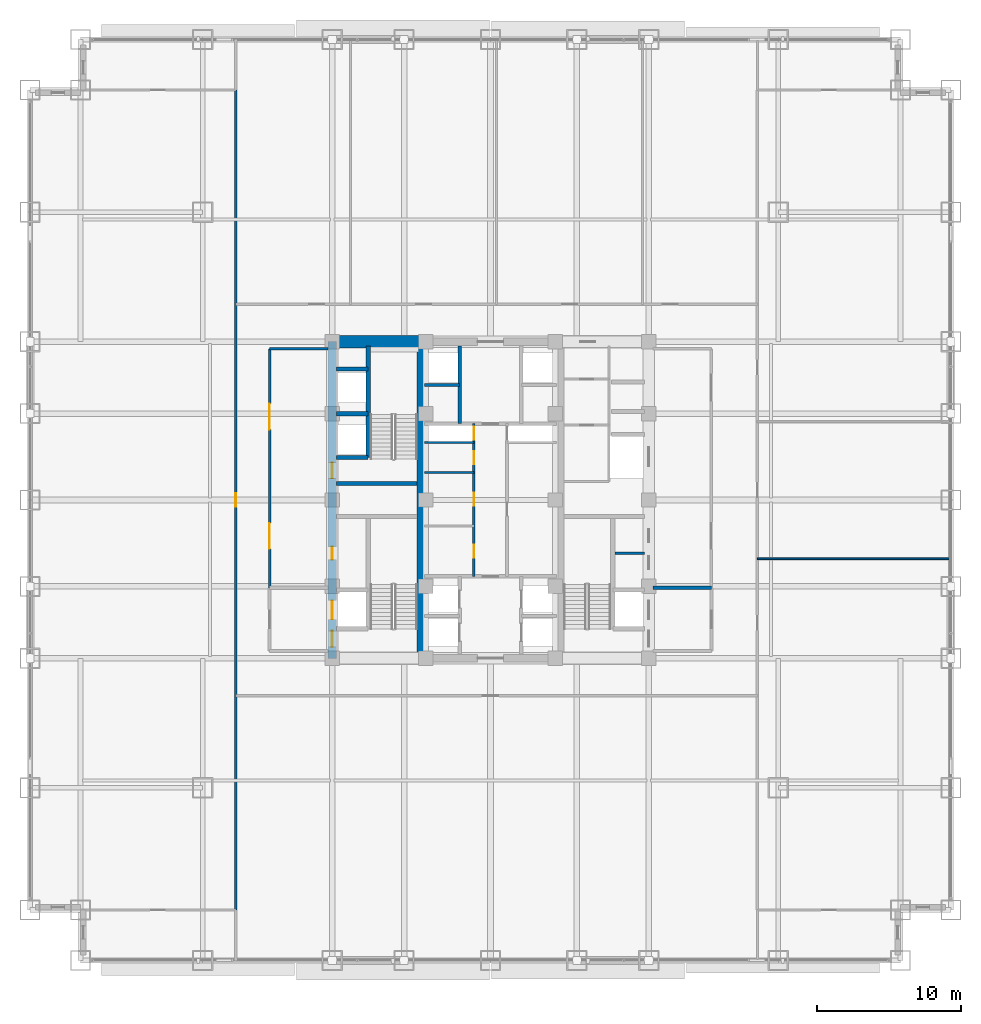
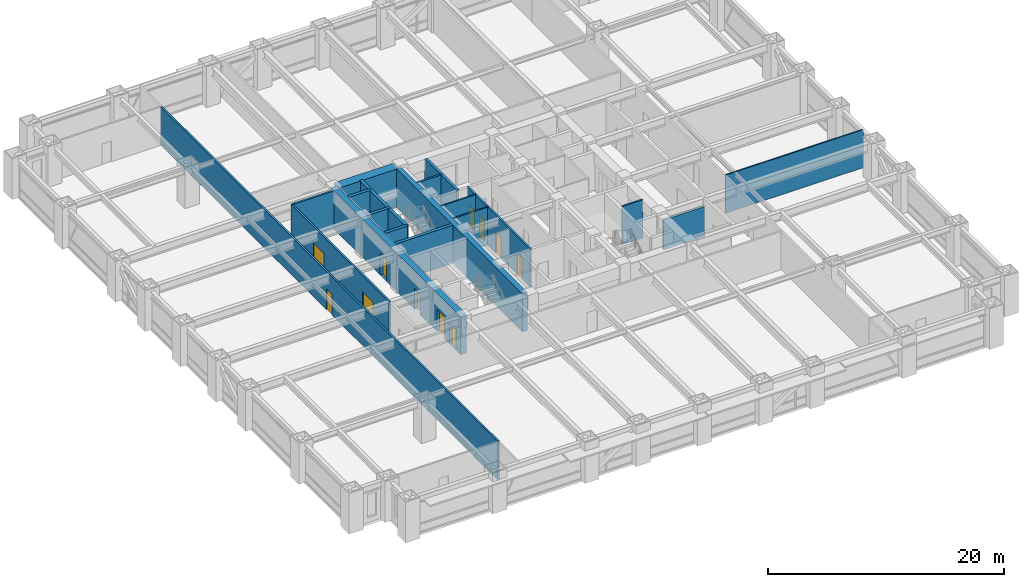
# One storey, part 24 of 31: 19 walls, 11 doors, 11 openings.
"""IFC4 building model written with IfcOpenShell, lengths in metres."""

from ifc_helpers import new_model, si_unit, direction, frame, frame_2d, origin, place, context, subcontext, project, spatial, rectangle, extrude, source, transform, mapped, material, layer, layer_set, type_object, element, fill, save


model = new_model("IFC4")

# Units and contexts
model_context = context("Model", 3, precision=1e-05, world=origin(), true_north=direction((0.0, 1.0)))
body_context = subcontext(model_context, "Body", "Model", "MODEL_VIEW")
ifc_project = project(units=[si_unit("LENGTHUNIT", "METRE"), si_unit("AREAUNIT", "SQUARE_METRE"), si_unit("VOLUMEUNIT", "CUBIC_METRE"), si_unit("PLANEANGLEUNIT", "RADIAN"), si_unit("MASSUNIT", "GRAM", prefix="KILO")], contexts=[model_context])

# Site, building, storey
site_placement = place(None, origin())
site = spatial("IfcSite", under=ifc_project, at=site_placement, CompositionType="ELEMENT")
building_placement = place(site_placement, origin())
building = spatial("IfcBuilding", under=site, at=building_placement, Name="Khorayat Bourse Tower", CompositionType="ELEMENT")
storey_placement = place(building_placement, frame((0.0, 0.0, 41.0)))
storey = spatial("IfcBuildingStorey", under=building, at=storey_placement, Name="L08", CompositionType="ELEMENT", Elevation=41.0)

# Wall, openings, doors
ifc_material_1 = material(Name="Concrete C60/75", Category="concrete")
ifc_layer_1 = layer(ifc_material_1, 0.60009765625)
ifc_layer_set_1 = layer_set([ifc_layer_1], Name="Concrete C60/75")
wall_type_1 = type_object("IfcWallType", Name="WAL-CORE-600", PredefinedType="SHEAR", material=ifc_layer_set_1)
shared_shape_1 = source(origin(), body_context, "Body", "SweptSolid", [
    extrude(rectangle(XDim=22.0, YDim=0.60009765625, at=frame_2d((11.0, 0.0))), origin(), (0.0, 0.0, 1.0), 3.93994140625),
])
wall_1_placement = place(storey_placement, frame((-11.0, -11.0, 0.0), z_axis=(0.0, 0.0, 1.0), x_axis=(0.0, 1.0, 0.0)))
wall_1 = element("IfcWall", 1, at=wall_1_placement, inside=storey, type_object=wall_type_1, Name="L08 Core Shear Wall CORE-W", PredefinedType="SHEAR", context=body_context, shape_type="MappedRepresentation", body=[
    mapped(shared_shape_1, transform((0.0, 0.0, 0.0), scale=1.0)),
])
shared_shape_2 = source(origin(), body_context, "Body", "SweptSolid", [
    extrude(rectangle(XDim=1.10009765625, YDim=2.199951171875, at=frame_2d((0.550048828125, 1.10009765625))), frame((0.0, 0.31005859375, 0.0), z_axis=(0.0, -1.0, 0.0), x_axis=(1.0, 0.0, 0.0)), (0.0, 0.0, 1.0), 0.6201171875),
])
opening_1_placement = place(wall_1_placement, frame((0.800048828125, 0.0, 0.0)))
opening_1 = element("IfcOpeningElement", 2, at=opening_1_placement, cuts=wall_1, Name="Opening DI-01", PredefinedType="OPENING", context=body_context, shape_type="MappedRepresentation", body=[
    mapped(shared_shape_2, transform((0.0, 0.0, 0.0), scale=1.0)),
])
opening_2_placement = place(wall_1_placement, frame((12.5, 0.0, 0.0)))
opening_2 = element("IfcOpeningElement", 3, at=opening_2_placement, cuts=wall_1, Name="Opening DI-01", PredefinedType="OPENING", context=body_context, shape_type="MappedRepresentation", body=[
    mapped(shared_shape_2, transform((0.0, 0.0, 0.0), scale=1.0)),
])
shared_shape_3 = source(origin(), body_context, "Body", "SweptSolid", [
    extrude(rectangle(XDim=0.89990234375, YDim=2.14990234375, at=frame_2d((0.449951171875, 1.074951171875))), frame((0.0, 0.31005859375, 0.0), z_axis=(0.0, -1.0, 0.0), x_axis=(1.0, 0.0, 0.0)), (0.0, 0.0, 1.0), 0.6201171875),
])
opening_3_placement = place(wall_1_placement, frame((6.85009765625, 0.0, 0.0)))
opening_3 = element("IfcOpeningElement", 4, at=opening_3_placement, cuts=wall_1, Name="Opening DI-06", PredefinedType="OPENING", context=body_context, shape_type="MappedRepresentation", body=[
    mapped(shared_shape_3, transform((0.0, 0.0, 0.0), scale=1.0)),
])
shared_shape_4 = source(origin(), body_context, "Body", "SweptSolid", [
    extrude(rectangle(XDim=1.300048828125, YDim=2.300048828125, at=frame_2d((0.64990234375, 1.14990234375))), frame((0.0, 0.31005859375, 0.0), z_axis=(0.0, -1.0, 0.0), x_axis=(1.0, 0.0, 0.0)), (0.0, 0.0, 1.0), 0.6201171875),
])
opening_4_placement = place(wall_1_placement, frame((2.699951171875, 0.0, 0.0)))
opening_4 = element("IfcOpeningElement", 5, at=opening_4_placement, cuts=wall_1, Name="Opening LD-02", PredefinedType="OPENING", context=body_context, shape_type="MappedRepresentation", body=[
    mapped(shared_shape_4, transform((0.0, 0.0, 0.0), scale=1.0)),
])
ifc_material_2 = material(Name="Fire-rated steel acoustic leaf", Category="steel")
door_type_1 = type_object("IfcDoorType", Name="DR-INT-STAIR-1100", OperationType="NOTDEFINED", PredefinedType="DOOR", material=ifc_material_2)
shared_shape_5 = source(origin(), body_context, "Body", "SweptSolid", [
    extrude(rectangle(XDim=1.10009765625, YDim=2.199951171875, at=frame_2d((0.550048828125, 1.10009765625))), frame((0.0, 0.02490234375, 0.0), z_axis=(0.0, -1.0, 0.0), x_axis=(1.0, 0.0, 0.0)), (0.0, 0.0, 1.0), 0.050048828125),
])
door_1_placement = place(opening_1_placement, origin())
door_1 = element("IfcDoor", 6, at=door_1_placement, inside=storey, type_object=door_type_1, Name="L08 Exit Stair 1 Door", OperationType="SINGLE_SWING_RIGHT", OverallHeight=2.199951171875, OverallWidth=1.10009765625, PredefinedType="DOOR", context=body_context, shape_type="MappedRepresentation", body=[
    mapped(shared_shape_5, transform((0.0, 0.0, 0.0), scale=1.0)),
])
fill(opening_1, door_1)
door_2_placement = place(opening_2_placement, origin())
door_2 = element("IfcDoor", 7, at=door_2_placement, inside=storey, type_object=door_type_1, Name="L08 Exit Stair 2 Door", OperationType="SINGLE_SWING_RIGHT", OverallHeight=2.199951171875, OverallWidth=1.10009765625, PredefinedType="DOOR", context=body_context, shape_type="MappedRepresentation", body=[
    mapped(shared_shape_5, transform((0.0, 0.0, 0.0), scale=1.0)),
])
fill(opening_2, door_2)
ifc_material_3 = material(Name="Moisture-resistant laminate washroom door")
door_type_2 = type_object("IfcDoorType", Name="DR-INT-WC-900", OperationType="NOTDEFINED", PredefinedType="DOOR", material=ifc_material_3)
shared_shape_6 = source(origin(), body_context, "Body", "SweptSolid", [
    extrude(rectangle(XDim=0.89990234375, YDim=2.14990234375, at=frame_2d((0.449951171875, 1.074951171875))), frame((0.0, 0.02490234375, 0.0), z_axis=(0.0, -1.0, 0.0), x_axis=(1.0, 0.0, 0.0)), (0.0, 0.0, 1.0), 0.050048828125),
])
door_3_placement = place(opening_3_placement, origin())
door_3 = element("IfcDoor", 8, at=door_3_placement, inside=storey, type_object=door_type_2, Name="L08 Electrical Switch Plant Room Door", OperationType="SINGLE_SWING_RIGHT", OverallHeight=2.14990234375, OverallWidth=0.89990234375, PredefinedType="DOOR", context=body_context, shape_type="MappedRepresentation", body=[
    mapped(shared_shape_6, transform((0.0, 0.0, 0.0), scale=1.0)),
])
fill(opening_3, door_3)
ifc_material_4 = material(Name="Fire-rated stainless-steel sliding landing door", Category="steel")
door_type_3 = type_object("IfcDoorType", Name="DR-LIFT-FF-1300", OperationType="NOTDEFINED", PredefinedType="DOOR", material=ifc_material_4)
shared_shape_7 = source(origin(), body_context, "Body", "SweptSolid", [
    extrude(rectangle(XDim=1.300048828125, YDim=2.300048828125, at=frame_2d((0.64990234375, 1.14990234375))), frame((0.0, 0.02490234375, 0.0), z_axis=(0.0, -1.0, 0.0), x_axis=(1.0, 0.0, 0.0)), (0.0, 0.0, 1.0), 0.050048828125),
])
door_4_placement = place(opening_4_placement, origin())
door_4 = element("IfcDoor", 9, at=door_4_placement, inside=storey, type_object=door_type_3, Name="L08 Lift FFL-01 Sliding Landing Door", OperationType="SLIDING_TO_LEFT", OverallHeight=2.300048828125, OverallWidth=1.300048828125, PredefinedType="DOOR", context=body_context, shape_type="MappedRepresentation", body=[
    mapped(shared_shape_7, transform((0.0, 0.0, 0.0), scale=1.0)),
])
fill(opening_4, door_4)

# Walls
ifc_material_5 = material(Name="Concrete C52/65", Category="concrete")
ifc_layer_2 = layer(ifc_material_5, 0.5)
ifc_layer_set_2 = layer_set([ifc_layer_2], Name="Concrete C52/65")
wall_type_2 = type_object("IfcWallType", Name="WAL-CORE-500", PredefinedType="SHEAR", material=ifc_layer_set_2)
shared_shape_8 = source(origin(), body_context, "Body", "SweptSolid", [
    extrude(rectangle(XDim=21.39990234375, YDim=0.5, at=frame_2d((10.699951171875, 0.0))), origin(), (0.0, 0.0, 1.0), 3.93994140625),
])
wall_2_placement = place(storey_placement, frame((-4.85009765625, -10.699951171875, 0.0), z_axis=(0.0, 0.0, 1.0), x_axis=(0.0, 1.0, 0.0)))
element("IfcWall", 10, at=wall_2_placement, inside=storey, type_object=wall_type_2, Name="L08 Core Shear Wall PIER-W", PredefinedType="SHEAR", context=body_context, shape_type="MappedRepresentation", body=[
    mapped(shared_shape_8, transform((0.0, 0.0, 0.0), scale=1.0)),
])
ifc_material_6 = material(Name="Concrete C72/90", Category="concrete")
ifc_layer_3 = layer(ifc_material_6, 0.89990234375)
ifc_layer_set_3 = layer_set([ifc_layer_3], Name="Concrete C72/90")
wall_type_3 = type_object("IfcWallType", Name="WAL-CORE-900", PredefinedType="SHEAR", material=ifc_layer_set_3)
shared_shape_9 = source(origin(), body_context, "Body", "SweptSolid", [
    extrude(rectangle(XDim=5.849853515625, YDim=0.89990234375, at=frame_2d((2.9248046875, 0.0))), origin(), (0.0, 0.0, 1.0), 3.93994140625),
])
wall_3_placement = place(storey_placement, frame((-10.699951171875, 11.0, 0.0), z_axis=(0.0, 0.0, 1.0), x_axis=(1.0, 0.0, 0.0)))
element("IfcWall", 11, at=wall_3_placement, inside=storey, type_object=wall_type_3, Name="L08 Core Shear Wall PIER-WN", PredefinedType="SHEAR", context=body_context, shape_type="MappedRepresentation", body=[
    mapped(shared_shape_9, transform((0.0, 0.0, 0.0), scale=1.0)),
])
ifc_material_7 = material(Name="Concrete C50/60", Category="concrete")
ifc_layer_4 = layer(ifc_material_7, 0.300048828125)
ifc_layer_set_4 = layer_set([ifc_layer_4], Name="Concrete C50/60")
wall_type_4 = type_object("IfcWallType", Name="WAL-SHAFT-300", PredefinedType="SHEAR", material=ifc_layer_set_4)
shared_shape_10 = source(origin(), body_context, "Body", "SweptSolid", [
    extrude(rectangle(XDim=5.599853515625, YDim=0.300048828125, at=frame_2d((2.7998046875, 0.0))), origin(), (0.0, 0.0, 1.0), 3.93994140625),
])
wall_4_placement = place(storey_placement, frame((-10.699951171875, 1.14990234375, 0.0), z_axis=(0.0, 0.0, 1.0), x_axis=(1.0, 0.0, 0.0)))
element("IfcWall", 12, at=wall_4_placement, inside=storey, type_object=wall_type_4, Name="L08 Core Shear Wall ST2-DIV", PredefinedType="SHEAR", context=body_context, shape_type="MappedRepresentation", body=[
    mapped(shared_shape_10, transform((0.0, 0.0, 0.0), scale=1.0)),
])
shared_shape_11 = source(origin(), body_context, "Body", "SweptSolid", [
    extrude(rectangle(XDim=2.199951171875, YDim=0.300048828125, at=frame_2d((1.10009765625, 0.0))), origin(), (0.0, 0.0, 1.0), 3.93994140625),
])
for number, where, z_axis, x_axis, name in (
    (13, (-10.699951171875, 2.949951171875, 0.0), (0.0, 0.0, 1.0), (1.0, 0.0, 0.0), "L08 Partition WAL-L08-WPIER-H1S"),
    (14, (-10.699951171875, 6.0, 0.0), (0.0, 0.0, 1.0), (1.0, 0.0, 0.0), "L08 Partition WAL-L08-WPIER-H12"),
    (15, (-10.699951171875, 9.10009765625, 0.0), (0.0, 0.0, 1.0), (1.0, 0.0, 0.0), "L08 Partition WAL-L08-WPIER-H2N"),
):
    element("IfcWall", number, at=place(storey_placement, frame(where, z_axis=z_axis, x_axis=x_axis)), inside=storey, type_object=wall_type_4, Name=name, PredefinedType="SHEAR", context=body_context, shape_type="MappedRepresentation", body=[
        mapped(shared_shape_11, transform((0.0, 0.0, 0.0), scale=1.0)),
    ])
shared_shape_12 = source(origin(), body_context, "Body", "SweptSolid", [
    extrude(rectangle(XDim=7.75, YDim=0.300048828125, at=frame_2d((3.875, 0.0))), origin(), (0.0, 0.0, 1.0), 3.93994140625),
])
wall_5_placement = place(storey_placement, frame((-8.5, 2.949951171875, 0.0), z_axis=(0.0, 0.0, 1.0), x_axis=(0.0, 1.0, 0.0)))
element("IfcWall", 16, at=wall_5_placement, inside=storey, type_object=wall_type_4, Name="L08 Partition WAL-L08-WPIER-ST2S", PredefinedType="SHEAR", context=body_context, shape_type="MappedRepresentation", body=[
    mapped(shared_shape_12, transform((0.0, 0.0, 0.0), scale=1.0)),
])
ifc_material_8 = material(Name="Gypsum plasterboard twin-frame partition")
ifc_layer_5 = layer(ifc_material_8, 0.14990234375)
ifc_layer_set_5 = layer_set([ifc_layer_5], Name="Gypsum plasterboard twin-frame partition")
wall_type_5 = type_object("IfcWallType", Name="WAL-PART-SUITE-150", PredefinedType="PARTITIONING", material=ifc_layer_set_5)
shared_shape_13 = source(origin(), body_context, "Body", "SweptSolid", [
    extrude(rectangle(XDim=2.050048828125, YDim=0.14990234375, at=frame_2d((1.02490234375, 0.0))), origin(), (0.0, 0.0, 1.0), 3.93994140625),
])
wall_6_placement = place(storey_placement, frame((8.64990234375, -3.699951171875, 0.0), z_axis=(0.0, 0.0, 1.0), x_axis=(1.0, 0.0, 0.0)))
element("IfcWall", 17, at=wall_6_placement, inside=storey, type_object=wall_type_5, Name="L08 Partition WAL-L08-ESRV-D1", PredefinedType="PARTITIONING", context=body_context, shape_type="MappedRepresentation", body=[
    mapped(shared_shape_13, transform((0.0, 0.0, 0.0), scale=1.0)),
])
ifc_material_9 = material(Name="Aerated concrete blockwork", Category="masonry")
ifc_layer_6 = layer(ifc_material_9, 0.219970703125)
ifc_layer_set_6 = layer_set([ifc_layer_6], Name="Aerated concrete blockwork")
wall_type_6 = type_object("IfcWallType", Name="WAL-PART-FF-220", PredefinedType="PARTITIONING", material=ifc_layer_set_6)
shared_shape_14 = source(origin(), body_context, "Body", "SweptSolid", [
    extrude(rectangle(XDim=4.050048828125, YDim=0.219970703125, at=frame_2d((2.02490234375, 0.0))), origin(), (0.0, 0.0, 1.0), 3.0849609375),
])
wall_7_placement = place(storey_placement, frame((11.300048828125, -6.10009765625, 0.0), z_axis=(0.0, 0.0, 1.0), x_axis=(1.0, 0.0, 0.0)))
element("IfcWall", 18, at=wall_7_placement, inside=storey, type_object=wall_type_6, Name="L08 Partition WAL-L08-FFLE-N", PredefinedType="PARTITIONING", context=body_context, shape_type="MappedRepresentation", body=[
    mapped(shared_shape_14, transform((0.0, 0.0, 0.0), scale=1.0)),
])
ifc_material_10 = material(Name="Gypsum plasterboard acoustic stud wall")
ifc_layer_7 = layer(ifc_material_10, 0.179931640625)
ifc_layer_set_7 = layer_set([ifc_layer_7], Name="Gypsum plasterboard acoustic stud wall")
wall_type_7 = type_object("IfcWallType", Name="WAL-PART-CORR-180", PredefinedType="PARTITIONING", material=ifc_layer_set_7)
shared_shape_15 = source(origin(), body_context, "Body", "SweptSolid", [
    extrude(rectangle(XDim=4.050048828125, YDim=0.179931640625, at=frame_2d((2.02490234375, 0.0))), origin(), (0.0, 0.0, 1.0), 3.93994140625),
])
wall_8_placement = place(storey_placement, frame((-15.35009765625, 10.5, 0.0), z_axis=(0.0, 0.0, 1.0), x_axis=(1.0, 0.0, 0.0)))
element("IfcWall", 19, at=wall_8_placement, inside=storey, type_object=wall_type_7, Name="L08 Partition WAL-L08-WLOB-N", PredefinedType="PARTITIONING", context=body_context, shape_type="MappedRepresentation", body=[
    mapped(shared_shape_15, transform((0.0, 0.0, 0.0), scale=1.0)),
])

# Wall, openings, doors
shared_shape_16 = source(origin(), body_context, "Body", "SweptSolid", [
    extrude(rectangle(XDim=16.60009765625, YDim=0.179931640625, at=frame_2d((8.300048828125, 0.0))), origin(), (0.0, 0.0, 1.0), 3.93994140625),
])
wall_9_placement = place(storey_placement, frame((-15.35009765625, -6.10009765625, 0.0), z_axis=(0.0, 0.0, 1.0), x_axis=(0.0, 1.0, 0.0)))
wall_9 = element("IfcWall", 20, at=wall_9_placement, inside=storey, type_object=wall_type_7, Name="L08 Partition WAL-L08-WLOB-W", PredefinedType="PARTITIONING", context=body_context, shape_type="MappedRepresentation", body=[
    mapped(shared_shape_16, transform((0.0, 0.0, 0.0), scale=1.0)),
])
shared_shape_17 = source(origin(), body_context, "Body", "SweptSolid", [
    extrude(rectangle(XDim=1.800048828125, YDim=2.25, at=frame_2d((0.89990234375, 1.125))), frame((0.0, 0.099853515625, 0.0), z_axis=(0.0, -1.0, 0.0), x_axis=(1.0, 0.0, 0.0)), (0.0, 0.0, 1.0), 0.199951171875),
])
opening_5_placement = place(wall_9_placement, frame((2.699951171875, 0.0, 0.0)))
opening_5 = element("IfcOpeningElement", 21, at=opening_5_placement, cuts=wall_9, Name="Opening DI-03", PredefinedType="OPENING", context=body_context, shape_type="MappedRepresentation", body=[
    mapped(shared_shape_17, transform((0.0, 0.0, 0.0), scale=1.0)),
])
opening_6_placement = place(wall_9_placement, frame((11.0, 0.0, 0.0)))
opening_6 = element("IfcOpeningElement", 22, at=opening_6_placement, cuts=wall_9, Name="Opening DI-03", PredefinedType="OPENING", context=body_context, shape_type="MappedRepresentation", body=[
    mapped(shared_shape_17, transform((0.0, 0.0, 0.0), scale=1.0)),
])
ifc_material_11 = material(Name="Fire-rated hardwood vision-panel double leaf", Category="wood")
door_type_4 = type_object("IfcDoorType", Name="DR-INT-CORR-1800", OperationType="NOTDEFINED", PredefinedType="DOOR", material=ifc_material_11)
shared_shape_18 = source(origin(), body_context, "Body", "SweptSolid", [
    extrude(rectangle(XDim=1.800048828125, YDim=2.25, at=frame_2d((0.89990234375, 1.125))), frame((0.0, 0.02490234375, 0.0), z_axis=(0.0, -1.0, 0.0), x_axis=(1.0, 0.0, 0.0)), (0.0, 0.0, 1.0), 0.050048828125),
])
door_5_placement = place(opening_5_placement, origin())
door_5 = element("IfcDoor", 23, at=door_5_placement, inside=storey, type_object=door_type_4, Name="L08 West Core Lobby South Door", OperationType="SINGLE_SWING_LEFT", OverallHeight=2.25, OverallWidth=1.800048828125, PredefinedType="DOOR", context=body_context, shape_type="MappedRepresentation", body=[
    mapped(shared_shape_18, transform((0.0, 0.0, 0.0), scale=1.0)),
])
fill(opening_5, door_5)
door_6_placement = place(opening_6_placement, origin())
door_6 = element("IfcDoor", 24, at=door_6_placement, inside=storey, type_object=door_type_4, Name="L08 West Core Lobby North Door", OperationType="SINGLE_SWING_RIGHT", OverallHeight=2.25, OverallWidth=1.800048828125, PredefinedType="DOOR", context=body_context, shape_type="MappedRepresentation", body=[
    mapped(shared_shape_18, transform((0.0, 0.0, 0.0), scale=1.0)),
])
fill(opening_6, door_6)

# Walls
shared_shape_19 = source(origin(), body_context, "Body", "SweptSolid", [
    extrude(rectangle(XDim=3.4501953125, YDim=0.14990234375, at=frame_2d((1.72509765625, 0.0))), origin(), (0.0, 0.0, 1.0), 3.93994140625),
])
wall_10_placement = place(storey_placement, frame((-4.60009765625, 4.0, 0.0), z_axis=(0.0, 0.0, 1.0), x_axis=(1.0, 0.0, 0.0)))
element("IfcWall", 25, at=wall_10_placement, inside=storey, type_object=wall_type_5, Name="L08 Partition WAL-L08-CRSW-S", PredefinedType="PARTITIONING", context=body_context, shape_type="MappedRepresentation", body=[
    mapped(shared_shape_19, transform((0.0, 0.0, 0.0), scale=1.0)),
])
shared_shape_20 = source(origin(), body_context, "Body", "SweptSolid", [
    extrude(rectangle(XDim=5.39990234375, YDim=0.25, at=frame_2d((2.699951171875, 0.0))), origin(), (0.0, 0.0, 1.0), 3.93994140625),
])
wall_11_placement = place(storey_placement, frame((-2.14990234375, 5.300048828125, 0.0), z_axis=(0.0, 0.0, 1.0), x_axis=(0.0, 1.0, 0.0)))
element("IfcWall", 26, at=wall_11_placement, inside=storey, type_object=wall_type_4, Name="L08 Partition WAL-L08-B2-W", PredefinedType="SHEAR", context=body_context, shape_type="MappedRepresentation", body=[
    mapped(shared_shape_20, transform((0.0, 0.0, 0.0), scale=1.0)),
])
shared_shape_21 = source(origin(), body_context, "Body", "SweptSolid", [
    extrude(rectangle(XDim=2.4501953125, YDim=0.199951171875, at=frame_2d((1.22509765625, 0.0))), origin(), (0.0, 0.0, 1.0), 3.93994140625),
])
wall_12_placement = place(storey_placement, frame((-4.60009765625, 8.0, 0.0), z_axis=(0.0, 0.0, 1.0), x_axis=(1.0, 0.0, 0.0)))
element("IfcWall", 27, at=wall_12_placement, inside=storey, type_object=wall_type_4, Name="L08 Partition WAL-L08-B2-MW", PredefinedType="SHEAR", context=body_context, shape_type="MappedRepresentation", body=[
    mapped(shared_shape_21, transform((0.0, 0.0, 0.0), scale=1.0)),
])
ifc_material_12 = material(Name="Moisture-resistant masonry partition", Category="masonry")
ifc_layer_8 = layer(ifc_material_12, 0.139892578125)
ifc_layer_set_8 = layer_set([ifc_layer_8], Name="Moisture-resistant masonry partition")
wall_type_8 = type_object("IfcWallType", Name="WAL-PART-WET-140", PredefinedType="PARTITIONING", material=ifc_layer_set_8)
shared_shape_22 = source(origin(), body_context, "Body", "SweptSolid", [
    extrude(rectangle(XDim=3.4501953125, YDim=0.139892578125, at=frame_2d((1.72509765625, 0.0))), origin(), (0.0, 0.0, 1.0), 3.93994140625),
])
wall_13_placement = place(storey_placement, frame((-4.60009765625, 1.89990234375, 0.0), z_axis=(0.0, 0.0, 1.0), x_axis=(1.0, 0.0, 0.0)))
element("IfcWall", 28, at=wall_13_placement, inside=storey, type_object=wall_type_8, Name="L08 Partition WAL-L08-CMW-D2", PredefinedType="PARTITIONING", context=body_context, shape_type="MappedRepresentation", body=[
    mapped(shared_shape_22, transform((0.0, 0.0, 0.0), scale=1.0)),
])

# Wall, openings, doors
shared_shape_23 = source(origin(), body_context, "Body", "SweptSolid", [
    extrude(rectangle(XDim=10.60009765625, YDim=0.179931640625, at=frame_2d((5.300048828125, 0.0))), origin(), (0.0, 0.0, 1.0), 3.93994140625),
])
wall_14_placement = place(storey_placement, frame((-1.14990234375, -5.300048828125, 0.0), z_axis=(0.0, 0.0, 1.0), x_axis=(0.0, 1.0, 0.0)))
wall_14 = element("IfcWall", 29, at=wall_14_placement, inside=storey, type_object=wall_type_7, Name="L08 Partition WAL-L08-CMW-L", PredefinedType="PARTITIONING", context=body_context, shape_type="MappedRepresentation", body=[
    mapped(shared_shape_23, transform((0.0, 0.0, 0.0), scale=1.0)),
])
shared_shape_24 = source(origin(), body_context, "Body", "SweptSolid", [
    extrude(rectangle(XDim=0.89990234375, YDim=2.14990234375, at=frame_2d((0.449951171875, 1.074951171875))), frame((0.0, 0.099853515625, 0.0), z_axis=(0.0, -1.0, 0.0), x_axis=(1.0, 0.0, 0.0)), (0.0, 0.0, 1.0), 0.199951171875),
])
opening_7_placement = place(wall_14_placement, frame((1.300048828125, 0.0, 0.0)))
opening_7 = element("IfcOpeningElement", 30, at=opening_7_placement, cuts=wall_14, Name="Opening DI-06", PredefinedType="OPENING", context=body_context, shape_type="MappedRepresentation", body=[
    mapped(shared_shape_24, transform((0.0, 0.0, 0.0), scale=1.0)),
])
opening_8_placement = place(wall_14_placement, frame((4.89990234375, 0.0, 0.0)))
opening_8 = element("IfcOpeningElement", 31, at=opening_8_placement, cuts=wall_14, Name="Opening DI-06", PredefinedType="OPENING", context=body_context, shape_type="MappedRepresentation", body=[
    mapped(shared_shape_24, transform((0.0, 0.0, 0.0), scale=1.0)),
])
opening_9_placement = place(wall_14_placement, frame((7.800048828125, 0.0, 0.0)))
opening_9 = element("IfcOpeningElement", 32, at=opening_9_placement, cuts=wall_14, Name="Opening DI-06", PredefinedType="OPENING", context=body_context, shape_type="MappedRepresentation", body=[
    mapped(shared_shape_24, transform((0.0, 0.0, 0.0), scale=1.0)),
])
opening_10_placement = place(wall_14_placement, frame((9.47509765625, 0.0, 0.0)))
opening_10 = element("IfcOpeningElement", 33, at=opening_10_placement, cuts=wall_14, Name="Opening DI-06", PredefinedType="OPENING", context=body_context, shape_type="MappedRepresentation", body=[
    mapped(shared_shape_24, transform((0.0, 0.0, 0.0), scale=1.0)),
])
door_7_placement = place(opening_7_placement, origin())
door_7 = element("IfcDoor", 34, at=door_7_placement, inside=storey, type_object=door_type_2, Name="L08 Male Core Washroom Door", OperationType="SINGLE_SWING_RIGHT", OverallHeight=2.14990234375, OverallWidth=0.89990234375, PredefinedType="DOOR", context=body_context, shape_type="MappedRepresentation", body=[
    mapped(shared_shape_6, transform((0.0, 0.0, 0.0), scale=1.0)),
])
fill(opening_7, door_7)
door_8_placement = place(opening_8_placement, origin())
door_8 = element("IfcDoor", 35, at=door_8_placement, inside=storey, type_object=door_type_2, Name="L08 AHU Fan Plant Room Door", OperationType="SINGLE_SWING_LEFT", OverallHeight=2.14990234375, OverallWidth=0.89990234375, PredefinedType="DOOR", context=body_context, shape_type="MappedRepresentation", body=[
    mapped(shared_shape_6, transform((0.0, 0.0, 0.0), scale=1.0)),
])
fill(opening_8, door_8)
door_9_placement = place(opening_9_placement, origin())
door_9 = element("IfcDoor", 36, at=door_9_placement, inside=storey, type_object=door_type_2, Name="L08 Janitor Store Door", OperationType="SINGLE_SWING_RIGHT", OverallHeight=2.14990234375, OverallWidth=0.89990234375, PredefinedType="DOOR", context=body_context, shape_type="MappedRepresentation", body=[
    mapped(shared_shape_6, transform((0.0, 0.0, 0.0), scale=1.0)),
])
fill(opening_9, door_9)
door_10_placement = place(opening_10_placement, origin())
door_10 = element("IfcDoor", 37, at=door_10_placement, inside=storey, type_object=door_type_2, Name="L08 West Core Riser Door", OperationType="SINGLE_SWING_LEFT", OverallHeight=2.14990234375, OverallWidth=0.89990234375, PredefinedType="DOOR", context=body_context, shape_type="MappedRepresentation", body=[
    mapped(shared_shape_6, transform((0.0, 0.0, 0.0), scale=1.0)),
])
fill(opening_10, door_10)

# Wall, opening, door
shared_shape_25 = source(origin(), body_context, "Body", "SweptSolid", [
    extrude(rectangle(XDim=57.0, YDim=0.179931640625, at=frame_2d((28.5, 0.0))), origin(), (0.0, 0.0, 1.0), 3.93994140625),
])
wall_15_placement = place(storey_placement, frame((-17.699951171875, -28.5, 0.0), z_axis=(0.0, 0.0, 1.0), x_axis=(0.0, 1.0, 0.0)))
wall_15 = element("IfcWall", 38, at=wall_15_placement, inside=storey, type_object=wall_type_7, Name="L08 Partition WAL-L08-WCORR", PredefinedType="PARTITIONING", context=body_context, shape_type="MappedRepresentation", body=[
    mapped(shared_shape_25, transform((0.0, 0.0, 0.0), scale=1.0)),
])
shared_shape_26 = source(origin(), body_context, "Body", "SweptSolid", [
    extrude(rectangle(XDim=0.949951171875, YDim=2.14990234375, at=frame_2d((0.47509765625, 1.074951171875))), frame((0.0, 0.099853515625, 0.0), z_axis=(0.0, -1.0, 0.0), x_axis=(1.0, 0.0, 0.0)), (0.0, 0.0, 1.0), 0.199951171875),
])
opening_11_placement = place(wall_15_placement, frame((28.02490234375, 0.0, 0.0)))
opening_11 = element("IfcOpeningElement", 39, at=opening_11_placement, cuts=wall_15, Name="Opening DI-05", PredefinedType="OPENING", context=body_context, shape_type="MappedRepresentation", body=[
    mapped(shared_shape_26, transform((0.0, 0.0, 0.0), scale=1.0)),
])
ifc_material_13 = material(Name="Acoustic oak veneer office door")
door_type_5 = type_object("IfcDoorType", Name="DR-INT-OFFICE-950", OperationType="NOTDEFINED", PredefinedType="DOOR", material=ifc_material_13)
shared_shape_27 = source(origin(), body_context, "Body", "SweptSolid", [
    extrude(rectangle(XDim=0.949951171875, YDim=2.14990234375, at=frame_2d((0.47509765625, 1.074951171875))), frame((0.0, 0.02490234375, 0.0), z_axis=(0.0, -1.0, 0.0), x_axis=(1.0, 0.0, 0.0)), (0.0, 0.0, 1.0), 0.050048828125),
])
door_11_placement = place(opening_11_placement, origin())
door_11 = element("IfcDoor", 40, at=door_11_placement, inside=storey, type_object=door_type_5, Name="L08 Public Washrooms and Restrooms W1 Door", OperationType="SINGLE_SWING_RIGHT", OverallHeight=2.14990234375, OverallWidth=0.949951171875, PredefinedType="DOOR", context=body_context, shape_type="MappedRepresentation", body=[
    mapped(shared_shape_27, transform((0.0, 0.0, 0.0), scale=1.0)),
])
fill(opening_11, door_11)

# Wall
ifc_material_14 = material(Name="Gypsum plasterboard partition")
ifc_layer_9 = layer(ifc_material_14, 0.125)
ifc_layer_set_9 = layer_set([ifc_layer_9], Name="Gypsum plasterboard partition")
wall_type_9 = type_object("IfcWallType", Name="WAL-PART-ROOM-125", PredefinedType="PARTITIONING", material=ifc_layer_set_9)
shared_shape_28 = source(origin(), body_context, "Body", "SweptSolid", [
    extrude(rectangle(XDim=13.449951171875, YDim=0.125, at=frame_2d((6.72509765625, 0.0))), origin(), (0.0, 0.0, 1.0), 3.93994140625),
])
wall_16_placement = place(storey_placement, frame((18.550048828125, -4.080078125, 0.0), z_axis=(0.0, 0.0, 1.0), x_axis=(1.0, 0.0, 0.0)))
element("IfcWall", 41, at=wall_16_placement, inside=storey, type_object=wall_type_9, Name="L08 Partition WAL-L08-EDV-1", PredefinedType="PARTITIONING", context=body_context, shape_type="MappedRepresentation", body=[
    mapped(shared_shape_28, transform((0.0, 0.0, 0.0), scale=1.0)),
])

save(model, "model.ifc")
